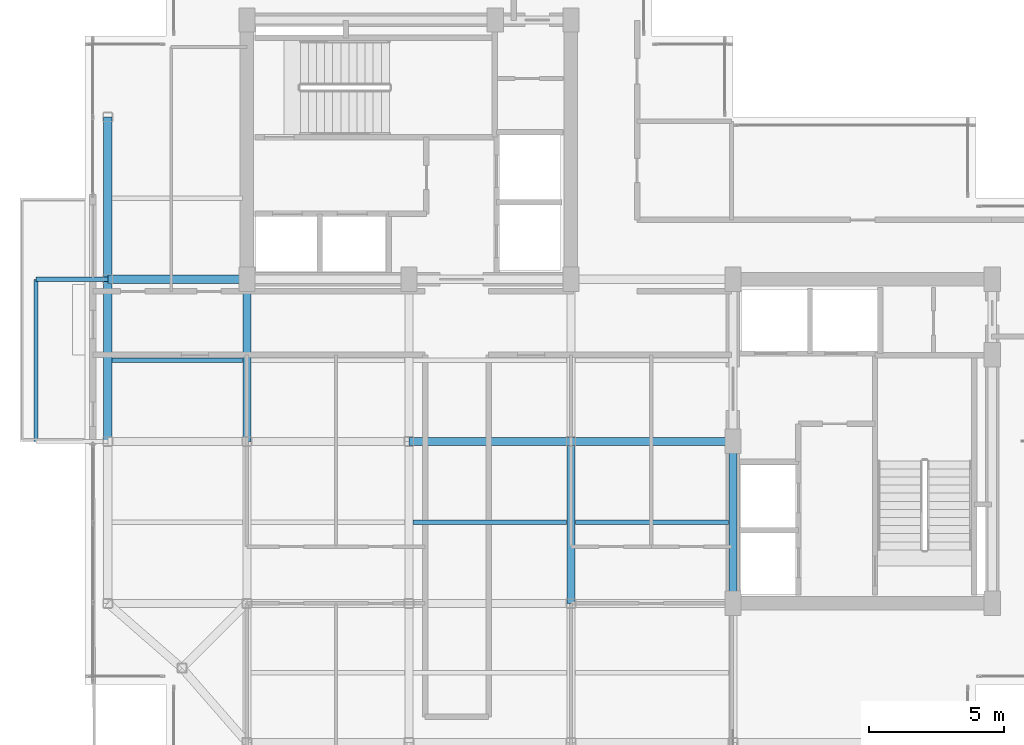
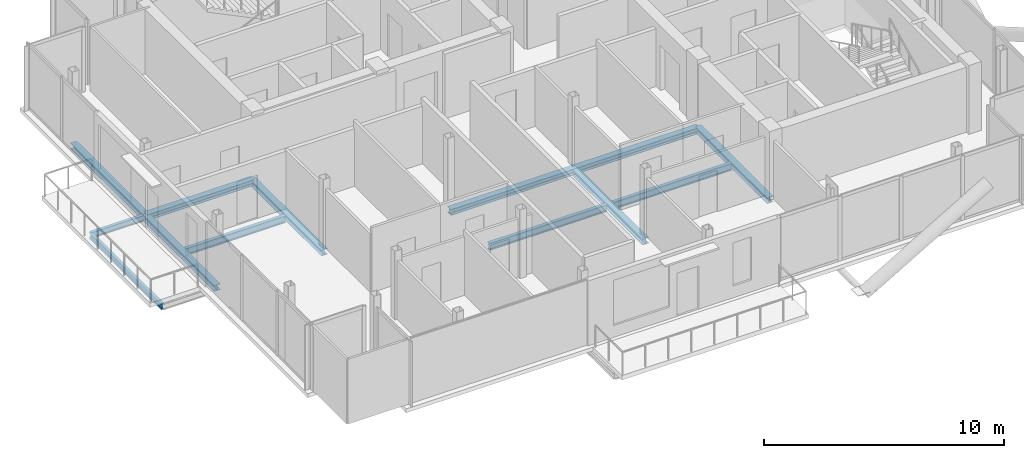
# One storey, part 6 of 18: 13 beams.
"""IFC4 building model written with IfcOpenShell, lengths in metres."""

from ifc_helpers import new_model, si_unit, direction, frame, origin, origin_2d, place, context, subcontext, project, spatial, i_section, extrude, material, material_profile, profile_set, type_object, element, save


model = new_model("IFC4")

# Units and contexts
model_context = context("Model", 3, precision=1e-05, world=origin(), true_north=direction((0.0, 1.0)))
body_context = subcontext(model_context, "Body", "Model", "MODEL_VIEW")
ifc_project = project(units=[si_unit("LENGTHUNIT", "METRE"), si_unit("AREAUNIT", "SQUARE_METRE"), si_unit("VOLUMEUNIT", "CUBIC_METRE"), si_unit("PLANEANGLEUNIT", "RADIAN"), si_unit("MASSUNIT", "GRAM", prefix="KILO"), si_unit("THERMODYNAMICTEMPERATUREUNIT", "KELVIN"), si_unit("POWERUNIT", "WATT")], contexts=[model_context])

# Site, building, storey
site_placement = place(None, origin())
site = spatial("IfcSite", under=ifc_project, at=site_placement, CompositionType="ELEMENT")
building_placement = place(site_placement, origin())
building = spatial("IfcBuilding", under=site, at=building_placement, Name="Svarakhadi Broadcast Tower", CompositionType="ELEMENT")
storey_placement = place(building_placement, frame((0.0, 0.0, 253.699951171875)))
storey = spatial("IfcBuildingStorey", under=building, at=storey_placement, Name="L63", CompositionType="ELEMENT", Elevation=253.699951171875)

# Beams
ifc_material = material(Name="Steel S355J2 (IS 2062 E350C)", Category="steel")
ifc_material_profile_1 = material_profile(ifc_material, i_section(OverallWidth=0.169921875, OverallDepth=0.360107421875, WebThickness=0.008056640625, FlangeThickness=0.0126953125, FilletRadius=0.01806640625, at=origin_2d()), Name="NPB 360x170x57")
ifc_profile_set_1 = profile_set([ifc_material_profile_1], Name="Steel S355J2 (IS 2062 E350C)")
beam_type_1 = type_object("IfcBeamType", Name="Beam_NPB360", PredefinedType="BEAM", material=ifc_profile_set_1)
beam_1_placement = place(storey_placement, frame((1.010009765625, 15.0, -0.3798828125), z_axis=(1.0, 0.0, 0.0), x_axis=(0.0, 1.0, 0.0)))
element("IfcBeam", 1, at=beam_1_placement, inside=storey, type_object=beam_type_1, Name="L63 Secondary Composite Beam SB002", PredefinedType="BEAM", context=body_context, shape_type="SweptSolid", body=[
    extrude(i_section(OverallWidth=0.169921875, OverallDepth=0.360107421875, WebThickness=0.008056640625, FlangeThickness=0.0126953125, FilletRadius=0.01806640625, at=origin_2d()), origin(), (0.0, 0.0, 1.0), 4.830078125),
])
for number, where, z_axis, x_axis, name in (
    (2, (12.159912109375, 9.0, -0.3798828125), (1.0, 0.0, 0.0), (0.0, 1.0, 0.0), "L63 Secondary Composite Beam SB008"),
    (3, (18.159912109375, 9.0, -0.3798828125), (1.0, 0.0, 0.0), (0.0, 1.0, 0.0), "L63 Secondary Composite Beam SB011"),
):
    element("IfcBeam", number, at=place(storey_placement, frame(where, z_axis=z_axis, x_axis=x_axis)), inside=storey, type_object=beam_type_1, Name=name, PredefinedType="BEAM", context=body_context, shape_type="SweptSolid", body=[
        extrude(i_section(OverallWidth=0.169921875, OverallDepth=0.360107421875, WebThickness=0.008056640625, FlangeThickness=0.0126953125, FilletRadius=0.01806640625, at=origin_2d()), origin(), (0.0, 0.0, 1.0), 5.68017578125),
    ])
ifc_material_profile_2 = material_profile(ifc_material, i_section(OverallWidth=0.300048828125, OverallDepth=0.300048828125, WebThickness=0.010986328125, FlangeThickness=0.01904296875, FilletRadius=0.027099609375, at=origin_2d()), Name="WPB 300x300x117")
ifc_profile_set_2 = profile_set([ifc_material_profile_2], Name="Steel S355J2 (IS 2062 E350C)")
beam_type_2 = type_object("IfcBeamType", Name="Girder_WPB300", PredefinedType="USERDEFINED", material=ifc_profile_set_2)
for number, where, z_axis, x_axis, name in (
    (4, (12.0, 12.0, -0.349853515625), (1.0, 0.0, 0.0), (0.0, 1.0, 0.0), "L63 Primary E-W Girder G015"),
    (5, (18.0, 12.0, -0.349853515625), (1.0, 0.0, 0.0), (0.0, 1.0, 0.0), "L63 Primary E-W Girder G016"),
):
    element("IfcBeam", number, at=place(storey_placement, frame(where, z_axis=z_axis, x_axis=x_axis)), inside=storey, type_object=beam_type_2, Name=name, ObjectType="GIRDER", PredefinedType="USERDEFINED", context=body_context, shape_type="SweptSolid", body=[
        extrude(i_section(OverallWidth=0.300048828125, OverallDepth=0.300048828125, WebThickness=0.010986328125, FlangeThickness=0.01904296875, FilletRadius=0.027099609375, at=origin_2d()), origin(), (0.0, 0.0, 1.0), 6.0),
    ])
beam_2_placement = place(storey_placement, frame((0.85009765625, 18.0, -0.349853515625), z_axis=(1.0, 0.0, 0.0), x_axis=(0.0, 1.0, 0.0)))
element("IfcBeam", 6, at=beam_2_placement, inside=storey, type_object=beam_type_2, Name="L63 Primary E-W Girder G017", ObjectType="GIRDER", PredefinedType="USERDEFINED", context=body_context, shape_type="SweptSolid", body=[
    extrude(i_section(OverallWidth=0.300048828125, OverallDepth=0.300048828125, WebThickness=0.010986328125, FlangeThickness=0.01904296875, FilletRadius=0.027099609375, at=origin_2d()), origin(), (0.0, 0.0, 1.0), 5.14990234375),
])
for number, where, z_axis, x_axis, name in (
    (7, (0.85009765625, 12.0, -0.349853515625), (0.0, 1.0, 0.0), (-1.0, 0.0, 0.0), "L63 Primary N-S Girder G027"),
    (8, (0.85009765625, 18.0, -0.349853515625), (0.0, 1.0, 0.0), (-1.0, 0.0, 0.0), "L63 Primary N-S Girder G028"),
    (9, (6.0, 12.0, -0.349853515625), (0.0, 1.0, 0.0), (-1.0, 0.0, 0.0), "L63 Primary N-S Girder G031"),
    (10, (18.0, 6.0, -0.349853515625), (0.0, 1.0, 0.0), (-1.0, 0.0, 0.0), "L63 Primary N-S Girder G037"),
    (11, (24.0, 6.0, -0.349853515625), (0.0, 1.0, 0.0), (-1.0, 0.0, 0.0), "L63 Primary N-S Girder G041"),
):
    element("IfcBeam", number, at=place(storey_placement, frame(where, z_axis=z_axis, x_axis=x_axis)), inside=storey, type_object=beam_type_2, Name=name, ObjectType="GIRDER", PredefinedType="USERDEFINED", context=body_context, shape_type="SweptSolid", body=[
        extrude(i_section(OverallWidth=0.300048828125, OverallDepth=0.300048828125, WebThickness=0.010986328125, FlangeThickness=0.01904296875, FilletRadius=0.027099609375, at=origin_2d()), origin(), (0.0, 0.0, 1.0), 6.0),
    ])
ifc_material_profile_3 = material_profile(ifc_material, i_section(OverallWidth=0.14990234375, OverallDepth=0.300048828125, WebThickness=0.007080078125, FlangeThickness=0.0107421875, FilletRadius=0.014892578125, at=origin_2d()), Name="NPB 300x150x37")
ifc_profile_set_3 = profile_set([ifc_material_profile_3], Name="Steel S355J2 (IS 2062 E350C)")
beam_type_3 = type_object("IfcBeamType", Name="Spandrel_NPB300", PredefinedType="SPANDREL", material=ifc_profile_set_3)
beam_3_placement = place(storey_placement, frame((0.85009765625, 18.0, -0.375), z_axis=(-1.0, 0.0, 0.0), x_axis=(0.0, -1.0, 0.0)))
element("IfcBeam", 12, at=beam_3_placement, inside=storey, type_object=beam_type_3, Name="L63 Balcony Cantilever Bracket 2B", PredefinedType="SPANDREL", context=body_context, shape_type="SweptSolid", body=[
    extrude(i_section(OverallWidth=0.14990234375, OverallDepth=0.300048828125, WebThickness=0.007080078125, FlangeThickness=0.0107421875, FilletRadius=0.014892578125, at=origin_2d()), origin(), (0.0, 0.0, 1.0), 2.650146484375),
])
beam_4_placement = place(storey_placement, frame((-1.800048828125, 12.0, -0.375), z_axis=(0.0, 1.0, 0.0), x_axis=(-1.0, 0.0, 0.0)))
element("IfcBeam", 13, at=beam_4_placement, inside=storey, type_object=beam_type_3, Name="L63 Balcony Outer Spandrel 2F", PredefinedType="SPANDREL", context=body_context, shape_type="SweptSolid", body=[
    extrude(i_section(OverallWidth=0.14990234375, OverallDepth=0.300048828125, WebThickness=0.007080078125, FlangeThickness=0.0107421875, FilletRadius=0.014892578125, at=origin_2d()), origin(), (0.0, 0.0, 1.0), 6.0),
])

save(model, "model.ifc")
